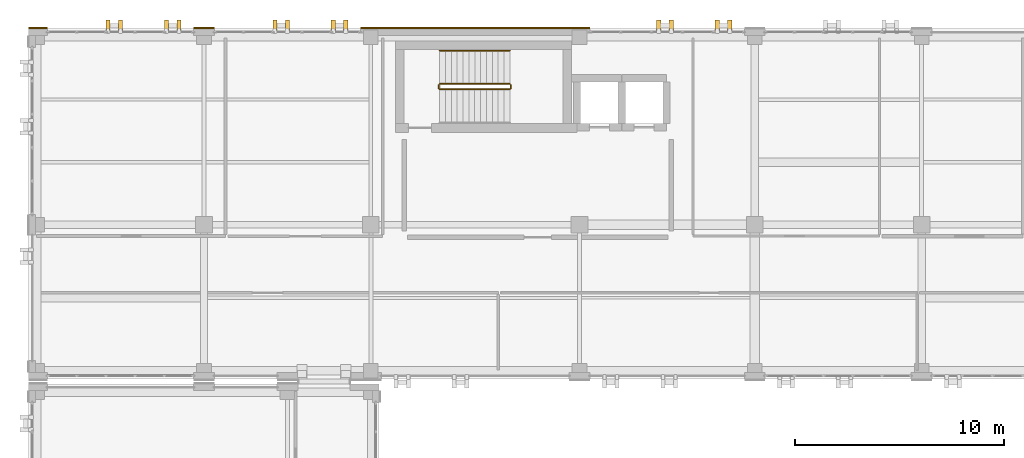
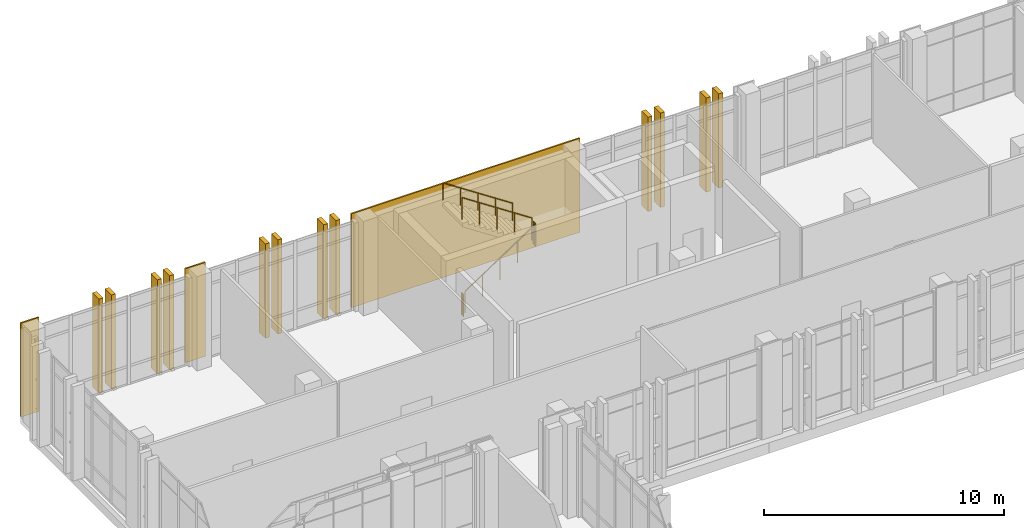
# One storey, part 180 of 189: 15 coverings, 5 railings.
"""IFC4 building model written with IfcOpenShell, lengths in metres."""

from ifc_helpers import new_model, si_unit, direction, frame, origin, origin_2d, place, context, subcontext, project, spatial, rectangle, circle, extrude, material, layer, layer_set, type_object, element, save


model = new_model("IFC4")

# Units and contexts
model_context = context("Model", 3, precision=1e-05, world=origin(), true_north=direction((0.0, 1.0)))
body_context = subcontext(model_context, "Body", "Model", "MODEL_VIEW")
ifc_project = project(units=[si_unit("LENGTHUNIT", "METRE"), si_unit("AREAUNIT", "SQUARE_METRE"), si_unit("VOLUMEUNIT", "CUBIC_METRE"), si_unit("PLANEANGLEUNIT", "RADIAN"), si_unit("MASSUNIT", "GRAM", prefix="KILO")], contexts=[model_context])

# Site, building, storey
site_placement = place(None, origin())
site = spatial("IfcSite", under=ifc_project, at=site_placement, CompositionType="ELEMENT")
building_placement = place(site_placement, origin())
building = spatial("IfcBuilding", under=site, at=building_placement, Name="Qalavern Law Courts", CompositionType="ELEMENT")
storey_placement = place(building_placement, frame((0.0, 0.0, 5.39990234375)))
storey = spatial("IfcBuildingStorey", under=building, at=storey_placement, Name="L01", CompositionType="ELEMENT", Elevation=5.39990234375)

# Coverings
ifc_material_1 = material(Name="Precast concrete C40/50", Category="concrete")
ifc_layer_1 = layer(ifc_material_1, 0.199951171875)
ifc_layer_set_1 = layer_set([ifc_layer_1], Name="Precast concrete C40/50")
covering_type_1 = type_object("IfcCoveringType", Name="ENV-BLD-1", PredefinedType="CLADDING", material=ifc_layer_set_1)
for number, where, z_axis, x_axis, name in (
    (1, (35.60009765625, 113.1474609375, 0.005126953125), (0.0, 0.0, 1.0), (0.0, 1.0, 0.0), "Absheron stone facade blade 0935"),
    (2, (35.0, 113.1474609375, 0.005126953125), (0.0, 0.0, 1.0), (0.0, 1.0, 0.0), "Absheron stone facade blade 0936"),
    (3, (32.800048828125, 113.1474609375, 0.005126953125), (0.0, 0.0, 1.0), (0.0, 1.0, 0.0), "Absheron stone facade blade 0937"),
    (4, (32.199951171875, 113.1474609375, 0.005126953125), (0.0, 0.0, 1.0), (0.0, 1.0, 0.0), "Absheron stone facade blade 0938"),
    (5, (17.199951171875, 113.1474609375, 0.005126953125), (0.0, 0.0, 1.0), (0.0, 1.0, 0.0), "Absheron stone facade blade 0939"),
    (6, (16.60009765625, 113.1474609375, 0.005126953125), (0.0, 0.0, 1.0), (0.0, 1.0, 0.0), "Absheron stone facade blade 0940"),
    (7, (14.39990234375, 113.1474609375, 0.005126953125), (0.0, 0.0, 1.0), (0.0, 1.0, 0.0), "Absheron stone facade blade 0941"),
    (8, (13.800048828125, 113.1474609375, 0.005126953125), (0.0, 0.0, 1.0), (0.0, 1.0, 0.0), "Absheron stone facade blade 0942"),
    (9, (9.199951171875, 113.1474609375, 0.005126953125), (0.0, 0.0, 1.0), (0.0, 1.0, 0.0), "Absheron stone facade blade 0943"),
    (10, (8.60009765625, 113.1474609375, 0.005126953125), (0.0, 0.0, 1.0), (0.0, 1.0, 0.0), "Absheron stone facade blade 0944"),
    (11, (6.39990234375, 113.1474609375, 0.005126953125), (0.0, 0.0, 1.0), (0.0, 1.0, 0.0), "Absheron stone facade blade 0945"),
    (12, (5.800048828125, 113.1474609375, 0.005126953125), (0.0, 0.0, 1.0), (0.0, 1.0, 0.0), "Absheron stone facade blade 0946"),
):
    element("IfcCovering", number, at=place(storey_placement, frame(where, z_axis=z_axis, x_axis=x_axis)), inside=storey, type_object=covering_type_1, Name=name, PredefinedType="CLADDING", context=body_context, shape_type="SweptSolid", body=[
        extrude(rectangle(XDim=0.5400390625, YDim=0.199951171875, at=origin_2d()), origin(), (0.0, 0.0, 1.0), 4.7900390625),
    ])
ifc_layer_2 = layer(ifc_material_1, 0.072021484375)
ifc_layer_set_2 = layer_set([ifc_layer_2], Name="Precast concrete C40/50")
covering_type_2 = type_object("IfcCoveringType", Name="ENV-CLD-2", PredefinedType="CLADDING", material=ifc_layer_set_2)
covering_1_placement = place(storey_placement, frame((23.39990234375, 113.032958984375, 0.01025390625), z_axis=(0.0, 0.0, 1.0), x_axis=(-1.0, 0.0, 0.0)))
element("IfcCovering", 13, at=covering_1_placement, inside=storey, type_object=covering_type_2, Name="V5 Absheron limestone pier facing L01 north 6", PredefinedType="CLADDING", context=body_context, shape_type="SweptSolid", body=[
    extrude(rectangle(XDim=10.97998046875, YDim=0.072021484375, at=origin_2d()), origin(), (0.0, 0.0, 1.0), 4.780029296875),
])
covering_2_placement = place(storey_placement, frame((10.39990234375, 113.032958984375, 0.01025390625), z_axis=(0.0, 0.0, 1.0), x_axis=(-1.0, 0.0, 0.0)))
element("IfcCovering", 14, at=covering_2_placement, inside=storey, type_object=covering_type_2, Name="V5 Absheron limestone pier facing L01 north 7", PredefinedType="CLADDING", context=body_context, shape_type="SweptSolid", body=[
    extrude(rectangle(XDim=0.97998046875, YDim=0.072021484375, at=origin_2d()), origin(), (0.0, 0.0, 1.0), 4.780029296875),
])
covering_3_placement = place(storey_placement, frame((2.449951171875, 113.032958984375, 0.01025390625), z_axis=(0.0, 0.0, 1.0), x_axis=(-1.0, 0.0, 0.0)))
element("IfcCovering", 15, at=covering_3_placement, inside=storey, type_object=covering_type_2, Name="V5 Absheron limestone pier facing L01 north 8", PredefinedType="CLADDING", context=body_context, shape_type="SweptSolid", body=[
    extrude(rectangle(XDim=0.8798828125, YDim=0.072021484375, at=origin_2d()), origin(), (0.0, 0.0, 1.0), 4.780029296875),
])

# Railings
ifc_material_2 = material(Name="Steel S355", Category="steel")
railing_type_1 = type_object("IfcRailingType", Name="INT-GUARD-1120", PredefinedType="BALUSTRADE", material=ifc_material_2)
railing_1_placement = place(storey_placement, frame((21.699951171875, 110.10009765625, 0.184814453125)))
element("IfcRailing", 16, at=railing_1_placement, inside=storey, type_object=railing_type_1, Name="L01 ST-K3 stair guard 1", PredefinedType="BALUSTRADE", context=body_context, shape_type="SweptSolid", body=[
    extrude(circle(Radius=0.02392578125, at=origin_2d()), frame((0.0, 0.0, 1.09619140625), z_axis=(0.834876476806, 0.0, 0.550437342915), x_axis=(0.0, 1.0, 0.0)), (0.0, 0.0, 1.0), 4.024658203125),
    extrude(circle(Radius=0.02099609375, at=origin_2d()), origin(), (0.0, 0.0, 1.0), 1.072021484375),
    extrude(circle(Radius=0.02099609375, at=origin_2d()), frame((0.840087890625, 0.0, 0.5537109375)), (0.0, 0.0, 1.0), 1.072021484375),
    extrude(circle(Radius=0.02099609375, at=origin_2d()), frame((1.68017578125, 0.0, 1.107666015625)), (0.0, 0.0, 1.0), 1.072021484375),
    extrude(circle(Radius=0.02099609375, at=origin_2d()), frame((2.52001953125, 0.0, 1.66162109375)), (0.0, 0.0, 1.0), 1.072021484375),
    extrude(circle(Radius=0.02099609375, at=origin_2d()), frame((3.360107421875, 0.0, 2.21533203125)), (0.0, 0.0, 1.0), 1.072021484375),
])
railing_2_placement = place(storey_placement, frame((25.110107421875, 110.14990234375, 2.400146484375)))
element("IfcRailing", 17, at=railing_2_placement, inside=storey, type_object=railing_type_1, Name="L01 ST-K3 stair guard 2", PredefinedType="BALUSTRADE", context=body_context, shape_type="SweptSolid", body=[
    extrude(circle(Radius=0.02392578125, at=origin_2d()), frame((0.0, 0.0, 1.09619140625), z_axis=(0.0, 1.0, 0.0), x_axis=(-1.0, 0.0, 0.0)), (0.0, 0.0, 1.0), 0.150146484375),
    extrude(circle(Radius=0.02099609375, at=origin_2d()), origin(), (0.0, 0.0, 1.0), 1.072021484375),
    extrude(circle(Radius=0.02099609375, at=origin_2d()), frame((0.0, 0.150146484375, 0.0)), (0.0, 0.0, 1.0), 1.072021484375),
])
railing_3_placement = place(storey_placement, frame((25.06005859375, 110.35009765625, 2.584716796875)))
element("IfcRailing", 18, at=railing_3_placement, inside=storey, type_object=railing_type_1, Name="L01 ST-K3 stair guard 3", PredefinedType="BALUSTRADE", context=body_context, shape_type="SweptSolid", body=[
    extrude(circle(Radius=0.02392578125, at=origin_2d()), frame((0.0, 0.0, 1.09619140625), z_axis=(-0.834876476806, 0.0, 0.550437342915), x_axis=(0.0, -1.0, 0.0)), (0.0, 0.0, 1.0), 4.024658203125),
    extrude(circle(Radius=0.02099609375, at=origin_2d()), origin(), (0.0, 0.0, 1.0), 1.072021484375),
    extrude(circle(Radius=0.02099609375, at=origin_2d()), frame((-0.840087890625, 0.0, 0.5537109375)), (0.0, 0.0, 1.0), 1.072021484375),
    extrude(circle(Radius=0.02099609375, at=origin_2d()), frame((-1.68017578125, 0.0, 1.107666015625)), (0.0, 0.0, 1.0), 1.072021484375),
    extrude(circle(Radius=0.02099609375, at=origin_2d()), frame((-2.52001953125, 0.0, 1.66162109375)), (0.0, 0.0, 1.0), 1.072021484375),
    extrude(circle(Radius=0.02099609375, at=origin_2d()), frame((-3.360107421875, 0.0, 2.21533203125)), (0.0, 0.0, 1.0), 1.072021484375),
])
railing_4_placement = place(storey_placement, frame((21.64990234375, 110.14990234375, 0.0)))
element("IfcRailing", 19, at=railing_4_placement, inside=storey, type_object=railing_type_1, Name="L01 ST-K3 stair guard 4", PredefinedType="BALUSTRADE", context=body_context, shape_type="SweptSolid", body=[
    extrude(circle(Radius=0.02392578125, at=origin_2d()), frame((0.0, 0.0, 1.09619140625), z_axis=(0.0, 1.0, 0.0), x_axis=(-1.0, 0.0, 0.0)), (0.0, 0.0, 1.0), 0.150146484375),
    extrude(circle(Radius=0.02099609375, at=origin_2d()), origin(), (0.0, 0.0, 1.0), 1.072021484375),
    extrude(circle(Radius=0.02099609375, at=origin_2d()), frame((0.0, 0.150146484375, 0.0)), (0.0, 0.0, 1.0), 1.072021484375),
])
railing_type_2 = type_object("IfcRailingType", Name="INT-HRAIL-920", PredefinedType="HANDRAIL", material=ifc_material_2)
railing_5_placement = place(storey_placement, frame((25.06005859375, 111.949951171875, 2.584716796875)))
element("IfcRailing", 20, at=railing_5_placement, inside=storey, type_object=railing_type_2, Name="L01 ST-K3 stair handrail 2", PredefinedType="HANDRAIL", context=body_context, shape_type="SweptSolid", body=[
    extrude(circle(Radius=0.02392578125, at=origin_2d()), frame((0.0, 0.0, 0.8759765625), z_axis=(-0.834876476806, 0.0, 0.550437342915), x_axis=(0.0, -1.0, 0.0)), (0.0, 0.0, 1.0), 4.024658203125),
    extrude(circle(Radius=0.02099609375, at=origin_2d()), origin(), (0.0, 0.0, 1.0), 0.851806640625),
    extrude(circle(Radius=0.02099609375, at=origin_2d()), frame((-0.840087890625, 0.0, 0.5537109375)), (0.0, 0.0, 1.0), 0.851806640625),
    extrude(circle(Radius=0.02099609375, at=origin_2d()), frame((-1.68017578125, 0.0, 1.107666015625)), (0.0, 0.0, 1.0), 0.851806640625),
    extrude(circle(Radius=0.02099609375, at=origin_2d()), frame((-2.52001953125, 0.0, 1.66162109375)), (0.0, 0.0, 1.0), 0.851806640625),
    extrude(circle(Radius=0.02099609375, at=origin_2d()), frame((-3.360107421875, 0.0, 2.21533203125)), (0.0, 0.0, 1.0), 0.851806640625),
])

save(model, "model.ifc")
